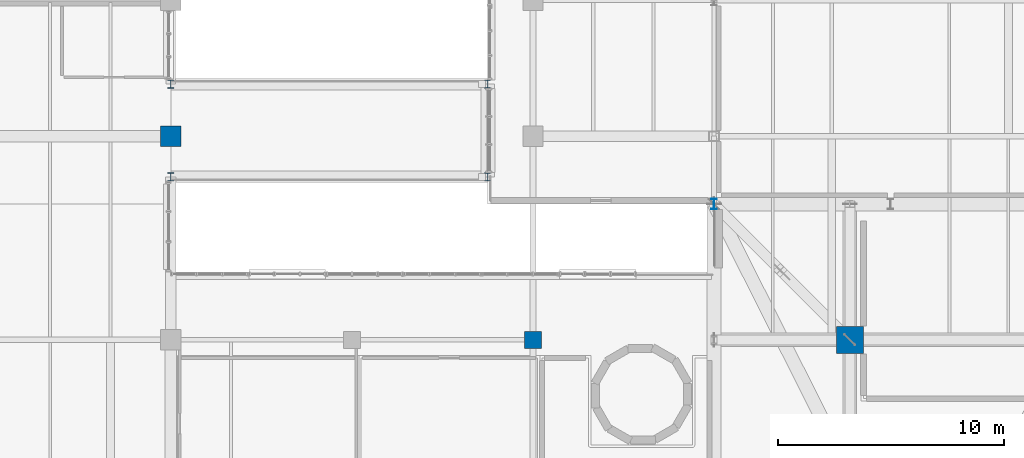
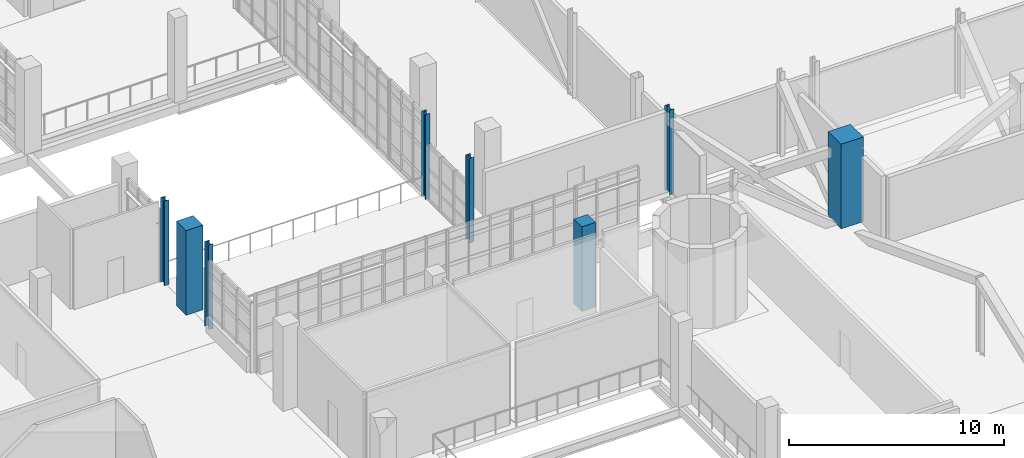
# One storey, part 3 of 127: 8 columns.
"""IFC4 building model written with IfcOpenShell, lengths in metres."""

import ifcopenshell
import ifcopenshell.guid

model = None  # the IFC model being written
_history = None  # IfcOwnerHistory: only IFC2X3 demands one
_inside = {}  # id of a spatial element -> (the spatial element, [elements in it])
_under = {}  # id of a project, library or spatial element -> (it, [spatial elements below it])
_declared = {}  # id of a project -> (the project, [libraries it declares])
_typed = {}  # id of a type object -> (the type object, [elements of that type])
_made_of = {}  # id of a material, layer set ... -> (it, [elements and type objects made of it])


def new_model(schema):
    """Start an empty IFC model of exactly this schema.

    Asked for "IFC4X3", IfcOpenShell would pick the latest addendum, in which some entities
    have other attributes; the version numbers below select the first issue.
    IFC2X3 requires an IfcOwnerHistory on every rooted entity: one is made here for all.
    """
    global model, _history
    if schema == "IFC4X3":
        model = ifcopenshell.file(schema_version=(4, 3, 0, 0))
    else:
        model = ifcopenshell.file(schema=schema)
    _inside.clear()
    _under.clear()
    _declared.clear()
    _typed.clear()
    _made_of.clear()
    _history = None
    if model.schema == "IFC2X3":
        org = make("IfcOrganization", Name="unknown")
        user = make(
            "IfcPersonAndOrganization",
            ThePerson=make("IfcPerson", FamilyName="unknown"),
            TheOrganization=org,
        )
        app = make(
            "IfcApplication",
            ApplicationDeveloper=org,
            Version="unknown",
            ApplicationFullName="unknown",
            ApplicationIdentifier="unknown",
        )
        _history = make(
            "IfcOwnerHistory",
            OwningUser=user,
            OwningApplication=app,
            ChangeAction="ADDED",
            CreationDate=0,
        )
    return model


def make(cls, **values):
    """One entity of the class cls with the attributes given. An attribute that is None is left unset."""
    return model.create_entity(
        cls, **{name: value for name, value in values.items() if value is not None}
    )


def rooted(cls, **values):
    """An entity with a GlobalId (a new one), such as an element, a storey or a relation."""
    return make(cls, GlobalId=ifcopenshell.guid.new(), OwnerHistory=_history, **values)


def si_unit(unit_type, name, prefix=None):
    """IfcSIUnit, for example si_unit("LENGTHUNIT", "METRE", prefix="MILLI")."""
    return make("IfcSIUnit", UnitType=unit_type, Prefix=prefix, Name=name)


def derived_unit(unit_type, elements):
    """IfcDerivedUnit: a product of units, each with its exponent."""
    return make(
        "IfcDerivedUnit",
        Elements=[
            make("IfcDerivedUnitElement", Unit=unit, Exponent=power)
            for unit, power in elements
        ],
        UnitType=unit_type,
    )


def assignment(units):
    """IfcUnitAssignment: the units of a project."""
    return None if units is None else make("IfcUnitAssignment", Units=units)


def point(xyz):
    """IfcCartesianPoint."""
    return None if xyz is None else make("IfcCartesianPoint", Coordinates=xyz)


def direction(xyz):
    """IfcDirection."""
    return None if xyz is None else make("IfcDirection", DirectionRatios=xyz)


def frame(location, z_axis=None, x_axis=None):
    """IfcAxis2Placement3D, a coordinate frame: its origin and axes. An axis left out is left unset."""
    return make(
        "IfcAxis2Placement3D",
        Location=point(location),
        Axis=direction(z_axis),
        RefDirection=direction(x_axis),
    )


def frame_2d(location, x_axis=None):
    """IfcAxis2Placement2D, a coordinate frame in the plane: its origin and x axis."""
    return make(
        "IfcAxis2Placement2D", Location=point(location), RefDirection=direction(x_axis)
    )


def origin():
    """The frame at (0, 0, 0) with its axes left unset."""
    return frame((0.0, 0.0, 0.0))


def origin_2d():
    """The frame at (0, 0) in the plane with its x axis left unset."""
    return frame_2d((0.0, 0.0))


def place(relative_to, where):
    """IfcLocalPlacement: puts the frame where relative to a parent placement (None: the world)."""
    return make(
        "IfcLocalPlacement", PlacementRelTo=relative_to, RelativePlacement=where
    )


def context(
    kind, dimensions, precision=None, world=None, true_north=None, identifier=None
):
    """IfcGeometricRepresentationContext, for example the 3D "Model" context."""
    return make(
        "IfcGeometricRepresentationContext",
        ContextIdentifier=identifier,
        ContextType=kind,
        CoordinateSpaceDimension=dimensions,
        Precision=precision,
        WorldCoordinateSystem=world,
        TrueNorth=true_north,
    )


def subcontext(parent, identifier, kind, view, scale=None):
    """IfcGeometricRepresentationSubContext, for example "Body" below "Model"."""
    return make(
        "IfcGeometricRepresentationSubContext",
        ContextIdentifier=identifier,
        ContextType=kind,
        ParentContext=parent,
        TargetScale=scale,
        TargetView=view,
    )


def project(units=None, contexts=None):
    """IfcProject with its units and contexts."""
    return rooted(
        "IfcProject",
        Name="project",
        RepresentationContexts=contexts,
        UnitsInContext=assignment(units),
    )


def spatial(cls, under=None, at=None, **own):
    """A site, building, storey or space (cls), placed at a placement, below another one or the project."""
    s = rooted(cls, ObjectPlacement=at, **own)
    if under is not None:
        _under.setdefault(under.id(), (under, []))[1].append(s)
    return s


def profile(cls, at=None, kind="AREA", **sizes):
    """A parametric profile (cls). Its sizes go by their IFC names, for example OverallWidth=200.0."""
    return make(cls, ProfileType=kind, Position=at, **sizes)


def rectangle(**sizes):
    """IfcRectangleProfileDef."""
    return profile("IfcRectangleProfileDef", **sizes)


def i_section(**sizes):
    """IfcIShapeProfileDef."""
    return profile("IfcIShapeProfileDef", **sizes)


def extrude(swept, where, along, depth):
    """IfcExtrudedAreaSolid: the profile swept, set in the frame where, extruded along a direction by depth."""
    return make(
        "IfcExtrudedAreaSolid",
        SweptArea=swept,
        Position=where,
        ExtrudedDirection=direction(along),
        Depth=depth,
    )


def shape(context_of_items, identifier, shape_type, items):
    """IfcShapeRepresentation: the items that make up one representation, for example the "Body"."""
    return make(
        "IfcShapeRepresentation",
        ContextOfItems=context_of_items,
        RepresentationIdentifier=identifier,
        RepresentationType=shape_type,
        Items=items,
    )


def material(Name=None, Category=None):
    """IfcMaterial."""
    return make("IfcMaterial", Name=Name, Category=Category)


def material_profile(
    of_material, cross_section, Name=None, Category=None, Priority=None
):
    """IfcMaterialProfile: a cross section and its material."""
    return make(
        "IfcMaterialProfile",
        Name=Name,
        Material=of_material,
        Profile=cross_section,
        Priority=Priority,
        Category=Category,
    )


def profile_set(profiles, Name=None, composite=None):
    """IfcMaterialProfileSet."""
    return make(
        "IfcMaterialProfileSet",
        Name=Name,
        MaterialProfiles=profiles,
        CompositeProfile=composite,
    )


def made_of(thing, what):
    """Note that an element or type object is made of a material, layer set ...; save() writes the relation."""
    if what is not None:
        _made_of.setdefault(what.id(), (what, []))[1].append(thing)
    return thing


def type_object(cls, material=None, **own):
    """A type object (cls), such as IfcWallType, which elements share."""
    return made_of(rooted(cls, **own), material)


def element(
    cls,
    number,
    at=None,
    inside=None,
    cuts=None,
    type_object=None,
    material=None,
    context=None,
    identifier="Body",
    shape_type=None,
    held_by="IfcProductDefinitionShape",
    body=None,
    shapes=None,
    **own,
):
    """One element of the class cls, such as IfcWall. Its Tag is "e" and its number.

    at: its placement. inside: the storey or other place that contains it. cuts: it is an
    opening in that element (IfcRelVoidsElement). A single representation is given by context,
    identifier, shape_type and body (its items); several are given by shapes. held_by: the class
    of the entity that holds the representations. save() writes the other relations.
    """
    e = rooted(cls, Tag="e%d" % number, ObjectPlacement=at, **own)
    if body is not None:
        shapes = [shape(context, identifier, shape_type, body)]
    if shapes is not None:
        e.Representation = make(held_by, Representations=shapes)
    if inside is not None:
        _inside.setdefault(inside.id(), (inside, []))[1].append(e)
    if cuts is not None:
        rooted(
            "IfcRelVoidsElement", RelatingBuildingElement=cuts, RelatedOpeningElement=e
        )
    if type_object is not None:
        _typed.setdefault(type_object.id(), (type_object, []))[1].append(e)
    return made_of(e, material)


def aggregate(whole, parts):
    """IfcRelAggregates: a whole, such as a stair, and the parts it consists of."""
    return rooted("IfcRelAggregates", RelatingObject=whole, RelatedObjects=parts)


def save(model, path):
    """Write the relations noted so far, then the file.

    IfcRelAggregates (storeys below a building ...), IfcRelContainedInSpatialStructure (elements
    in a storey), IfcRelDefinesByType, IfcRelAssociatesMaterial and IfcRelDeclares: one each for
    every whole, place, type object, material and project.
    """
    for whole, parts in _under.values():
        aggregate(whole, parts)
    for where, things in _inside.values():
        rooted(
            "IfcRelContainedInSpatialStructure",
            RelatedElements=things,
            RelatingStructure=where,
        )
    for kind, things in _typed.values():
        rooted("IfcRelDefinesByType", RelatedObjects=things, RelatingType=kind)
    for what, things in _made_of.values():
        rooted("IfcRelAssociatesMaterial", RelatedObjects=things, RelatingMaterial=what)
    for by, libraries in _declared.values():
        rooted("IfcRelDeclares", RelatingContext=by, RelatedDefinitions=libraries)
    model.write(path)


model = new_model("IFC4")

# Units and contexts
model_context = context("Model", 3, precision=1e-05, world=origin(), true_north=direction((0.0, 1.0)))
body_context = subcontext(model_context, "Body", "Model", "MODEL_VIEW")
ifc_project = project(units=[si_unit("LENGTHUNIT", "METRE"), si_unit("AREAUNIT", "SQUARE_METRE"), si_unit("VOLUMEUNIT", "CUBIC_METRE"), si_unit("PLANEANGLEUNIT", "RADIAN"), si_unit("MASSUNIT", "GRAM", prefix="KILO"), derived_unit("THERMALTRANSMITTANCEUNIT", [(si_unit("POWERUNIT", "WATT"), 1), (si_unit("LENGTHUNIT", "METRE"), -2), (si_unit("THERMODYNAMICTEMPERATUREUNIT", "KELVIN"), -1)])], contexts=[model_context])

# Site, building, storey
site_placement = place(None, origin())
site = spatial("IfcSite", under=ifc_project, at=site_placement, CompositionType="ELEMENT")
building_placement = place(site_placement, origin())
building = spatial("IfcBuilding", under=site, at=building_placement, Name="Nallur Shell Playhouse", CompositionType="ELEMENT")
storey_placement = place(building_placement, frame((0.0, 0.0, 5.39990234375)))
storey = spatial("IfcBuildingStorey", under=building, at=storey_placement, Name="L02", CompositionType="ELEMENT", Elevation=5.39990234375)

# Columns
ifc_material_1 = material(Name="Concrete M45", Category="concrete")
ifc_material_profile_1 = material_profile(ifc_material_1, rectangle(XDim=1.199951171875, YDim=1.199951171875, at=origin_2d()), Name="RC 1200x1200")
ifc_profile_set_1 = profile_set([ifc_material_profile_1], Name="Concrete M45")
column_type_1 = type_object("IfcColumnType", Name="CL-RC-1200", PredefinedType="COLUMN", material=ifc_profile_set_1)
column_1_placement = place(storey_placement, frame((70.0, 41.0, 0.0), z_axis=(0.0, 0.0, 1.0), x_axis=(1.0, 0.0, 0.0)))
element("IfcColumn", 1, at=column_1_placement, inside=storey, type_object=column_type_1, Name="Column MC1N (L02)", PredefinedType="COLUMN", context=body_context, shape_type="SweptSolid", body=[
    extrude(rectangle(XDim=1.199951171875, YDim=1.199951171875, at=origin_2d()), origin(), (0.0, 0.0, 1.0), 4.800048828125),
])
ifc_material_2 = material(Name="Concrete M40", Category="concrete")
ifc_material_profile_2 = material_profile(ifc_material_2, rectangle(XDim=0.75, YDim=0.75, at=origin_2d()), Name="RC 750x750")
ifc_profile_set_2 = profile_set([ifc_material_profile_2], Name="Concrete M40")
column_type_2 = type_object("IfcColumnType", Name="CL-RC-750", PredefinedType="COLUMN", material=ifc_profile_set_2)
column_2_placement = place(storey_placement, frame((56.0, 41.0, 0.0), z_axis=(0.0, 0.0, 1.0), x_axis=(1.0, 0.0, 0.0)))
element("IfcColumn", 2, at=column_2_placement, inside=storey, type_object=column_type_2, Name="Column 7-E (L02)", PredefinedType="COLUMN", context=body_context, shape_type="SweptSolid", body=[
    extrude(rectangle(XDim=0.75, YDim=0.75, at=origin_2d()), origin(), (0.0, 0.0, 1.0), 4.800048828125),
])
ifc_material_profile_3 = material_profile(ifc_material_2, rectangle(XDim=0.89990234375, YDim=0.89990234375, at=origin_2d()), Name="RC 900x900")
ifc_profile_set_3 = profile_set([ifc_material_profile_3], Name="Concrete M40")
column_type_3 = type_object("IfcColumnType", Name="CL-RC-900", PredefinedType="COLUMN", material=ifc_profile_set_3)
column_3_placement = place(storey_placement, frame((40.0, 50.0, 0.0), z_axis=(0.0, 0.0, 1.0), x_axis=(1.0, 0.0, 0.0)))
element("IfcColumn", 3, at=column_3_placement, inside=storey, type_object=column_type_3, Name="Column 5-F (L02)", PredefinedType="COLUMN", context=body_context, shape_type="SweptSolid", body=[
    extrude(rectangle(XDim=0.89990234375, YDim=0.89990234375, at=origin_2d()), origin(), (0.0, 0.0, 1.0), 4.800048828125),
])
ifc_material_3 = material(Name="Steel E350", Category="steel")
ifc_material_profile_4 = material_profile(ifc_material_3, i_section(OverallWidth=0.25, OverallDepth=0.35009765625, WebThickness=0.010009765625, FlangeThickness=0.01171875, FilletRadius=0.011962890625, at=origin_2d()), Name="ISHB 350")
ifc_profile_set_4 = profile_set([ifc_material_profile_4], Name="Steel E350")
column_type_4 = type_object("IfcColumnType", Name="CL-ST-ISHB350", PredefinedType="COLUMN", material=ifc_profile_set_4)
for number, where, z_axis, x_axis, name in (
    (4, (40.0, 48.199951171875, 0.0), (0.0, 0.0, 1.0), (1.0, 0.0, 0.0), "Column BRCOL-1 (L02)"),
    (5, (54.0, 48.199951171875, 0.0), (0.0, 0.0, 1.0), (1.0, 0.0, 0.0), "Column BRCOL-2 (L02)"),
    (6, (40.0, 52.300048828125, 0.0), (0.0, 0.0, 1.0), (1.0, 0.0, 0.0), "Column BRCOL-3 (L02)"),
    (7, (54.0, 52.300048828125, 0.0), (0.0, 0.0, 1.0), (1.0, 0.0, 0.0), "Column BRCOL-4 (L02)"),
):
    element("IfcColumn", number, at=place(storey_placement, frame(where, z_axis=z_axis, x_axis=x_axis)), inside=storey, type_object=column_type_4, Name=name, PredefinedType="COLUMN", context=body_context, shape_type="SweptSolid", body=[
        extrude(i_section(OverallWidth=0.25, OverallDepth=0.35009765625, WebThickness=0.010009765625, FlangeThickness=0.01171875, FilletRadius=0.011962890625, at=origin_2d()), origin(), (0.0, 0.0, 1.0), 4.800048828125),
    ])
ifc_material_profile_5 = material_profile(ifc_material_3, i_section(OverallWidth=0.25, OverallDepth=0.449951171875, WebThickness=0.01123046875, FlangeThickness=0.013671875, FilletRadius=0.014892578125, at=origin_2d()), Name="ISHB 450")
ifc_profile_set_5 = profile_set([ifc_material_profile_5], Name="Steel E350")
column_type_5 = type_object("IfcColumnType", Name="CL-ST-ISHB450", PredefinedType="COLUMN", material=ifc_profile_set_5)
column_4_placement = place(storey_placement, frame((64.0, 47.0, 0.0), z_axis=(0.0, 0.0, 1.0), x_axis=(1.0, 0.0, 0.0)))
element("IfcColumn", 8, at=column_4_placement, inside=storey, type_object=column_type_5, Name="Column PROSC-1 (L02)", PredefinedType="COLUMN", context=body_context, shape_type="SweptSolid", body=[
    extrude(i_section(OverallWidth=0.25, OverallDepth=0.449951171875, WebThickness=0.01123046875, FlangeThickness=0.013671875, FilletRadius=0.014892578125, at=origin_2d()), origin(), (0.0, 0.0, 1.0), 4.800048828125),
])

save(model, "model.ifc")
